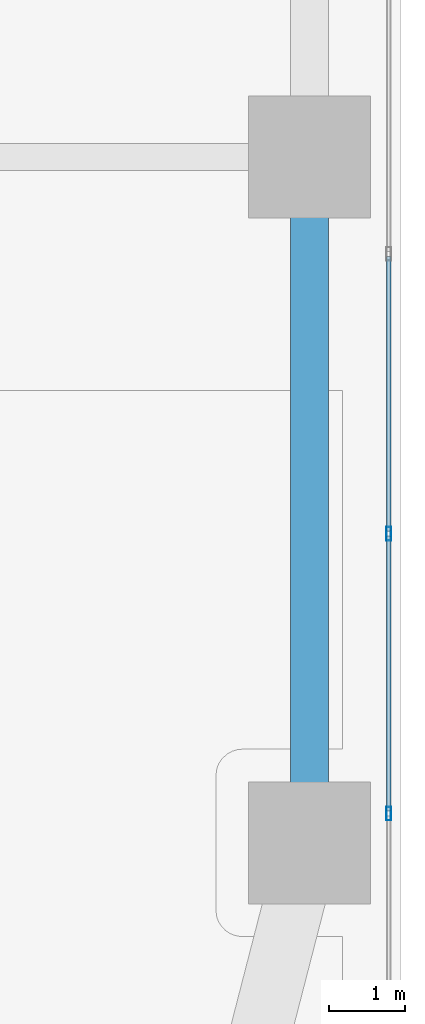
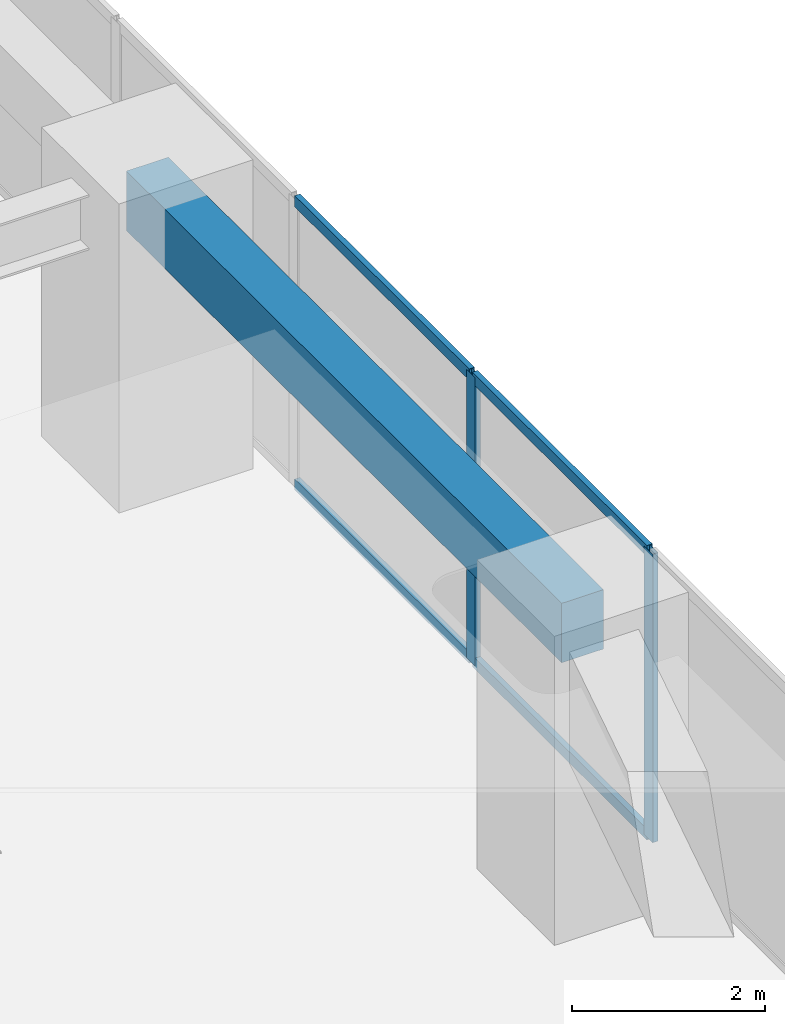
# One storey, part 6 of 29: 6 members, 1 beam, 1 element without a shape of its own.
"""IFC4 building model written with IfcOpenShell, lengths in metres."""

import ifcopenshell
import ifcopenshell.guid

model = None  # the IFC model being written
_history = None  # IfcOwnerHistory: only IFC2X3 demands one
_inside = {}  # id of a spatial element -> (the spatial element, [elements in it])
_under = {}  # id of a project, library or spatial element -> (it, [spatial elements below it])
_declared = {}  # id of a project -> (the project, [libraries it declares])
_typed = {}  # id of a type object -> (the type object, [elements of that type])
_made_of = {}  # id of a material, layer set ... -> (it, [elements and type objects made of it])


def new_model(schema):
    """Start an empty IFC model of exactly this schema.

    Asked for "IFC4X3", IfcOpenShell would pick the latest addendum, in which some entities
    have other attributes; the version numbers below select the first issue.
    IFC2X3 requires an IfcOwnerHistory on every rooted entity: one is made here for all.
    """
    global model, _history
    if schema == "IFC4X3":
        model = ifcopenshell.file(schema_version=(4, 3, 0, 0))
    else:
        model = ifcopenshell.file(schema=schema)
    _inside.clear()
    _under.clear()
    _declared.clear()
    _typed.clear()
    _made_of.clear()
    _history = None
    if model.schema == "IFC2X3":
        org = make("IfcOrganization", Name="unknown")
        user = make(
            "IfcPersonAndOrganization",
            ThePerson=make("IfcPerson", FamilyName="unknown"),
            TheOrganization=org,
        )
        app = make(
            "IfcApplication",
            ApplicationDeveloper=org,
            Version="unknown",
            ApplicationFullName="unknown",
            ApplicationIdentifier="unknown",
        )
        _history = make(
            "IfcOwnerHistory",
            OwningUser=user,
            OwningApplication=app,
            ChangeAction="ADDED",
            CreationDate=0,
        )
    return model


def make(cls, **values):
    """One entity of the class cls with the attributes given. An attribute that is None is left unset."""
    return model.create_entity(
        cls, **{name: value for name, value in values.items() if value is not None}
    )


def rooted(cls, **values):
    """An entity with a GlobalId (a new one), such as an element, a storey or a relation."""
    return make(cls, GlobalId=ifcopenshell.guid.new(), OwnerHistory=_history, **values)


def si_unit(unit_type, name, prefix=None):
    """IfcSIUnit, for example si_unit("LENGTHUNIT", "METRE", prefix="MILLI")."""
    return make("IfcSIUnit", UnitType=unit_type, Prefix=prefix, Name=name)


def assignment(units):
    """IfcUnitAssignment: the units of a project."""
    return None if units is None else make("IfcUnitAssignment", Units=units)


def point(xyz):
    """IfcCartesianPoint."""
    return None if xyz is None else make("IfcCartesianPoint", Coordinates=xyz)


def direction(xyz):
    """IfcDirection."""
    return None if xyz is None else make("IfcDirection", DirectionRatios=xyz)


def frame(location, z_axis=None, x_axis=None):
    """IfcAxis2Placement3D, a coordinate frame: its origin and axes. An axis left out is left unset."""
    return make(
        "IfcAxis2Placement3D",
        Location=point(location),
        Axis=direction(z_axis),
        RefDirection=direction(x_axis),
    )


def frame_2d(location, x_axis=None):
    """IfcAxis2Placement2D, a coordinate frame in the plane: its origin and x axis."""
    return make(
        "IfcAxis2Placement2D", Location=point(location), RefDirection=direction(x_axis)
    )


def origin():
    """The frame at (0, 0, 0) with its axes left unset."""
    return frame((0.0, 0.0, 0.0))


def origin_2d():
    """The frame at (0, 0) in the plane with its x axis left unset."""
    return frame_2d((0.0, 0.0))


def place(relative_to, where):
    """IfcLocalPlacement: puts the frame where relative to a parent placement (None: the world)."""
    return make(
        "IfcLocalPlacement", PlacementRelTo=relative_to, RelativePlacement=where
    )


def context(
    kind, dimensions, precision=None, world=None, true_north=None, identifier=None
):
    """IfcGeometricRepresentationContext, for example the 3D "Model" context."""
    return make(
        "IfcGeometricRepresentationContext",
        ContextIdentifier=identifier,
        ContextType=kind,
        CoordinateSpaceDimension=dimensions,
        Precision=precision,
        WorldCoordinateSystem=world,
        TrueNorth=true_north,
    )


def subcontext(parent, identifier, kind, view, scale=None):
    """IfcGeometricRepresentationSubContext, for example "Body" below "Model"."""
    return make(
        "IfcGeometricRepresentationSubContext",
        ContextIdentifier=identifier,
        ContextType=kind,
        ParentContext=parent,
        TargetScale=scale,
        TargetView=view,
    )


def project(units=None, contexts=None):
    """IfcProject with its units and contexts."""
    return rooted(
        "IfcProject",
        Name="project",
        RepresentationContexts=contexts,
        UnitsInContext=assignment(units),
    )


def spatial(cls, under=None, at=None, **own):
    """A site, building, storey or space (cls), placed at a placement, below another one or the project."""
    s = rooted(cls, ObjectPlacement=at, **own)
    if under is not None:
        _under.setdefault(under.id(), (under, []))[1].append(s)
    return s


def profile(cls, at=None, kind="AREA", **sizes):
    """A parametric profile (cls). Its sizes go by their IFC names, for example OverallWidth=200.0."""
    return make(cls, ProfileType=kind, Position=at, **sizes)


def rectangle(**sizes):
    """IfcRectangleProfileDef."""
    return profile("IfcRectangleProfileDef", **sizes)


def hollow_rectangle(**sizes):
    """IfcRectangleHollowProfileDef."""
    return profile("IfcRectangleHollowProfileDef", **sizes)


def extrude(swept, where, along, depth):
    """IfcExtrudedAreaSolid: the profile swept, set in the frame where, extruded along a direction by depth."""
    return make(
        "IfcExtrudedAreaSolid",
        SweptArea=swept,
        Position=where,
        ExtrudedDirection=direction(along),
        Depth=depth,
    )


def shape(context_of_items, identifier, shape_type, items):
    """IfcShapeRepresentation: the items that make up one representation, for example the "Body"."""
    return make(
        "IfcShapeRepresentation",
        ContextOfItems=context_of_items,
        RepresentationIdentifier=identifier,
        RepresentationType=shape_type,
        Items=items,
    )


def material(Name=None, Category=None):
    """IfcMaterial."""
    return make("IfcMaterial", Name=Name, Category=Category)


def layer(
    of_material, thickness, ventilated=None, Name=None, Category=None, Priority=None
):
    """IfcMaterialLayer: one layer of a wall or slab, of a material (None: an air gap)."""
    return make(
        "IfcMaterialLayer",
        Material=of_material,
        LayerThickness=thickness,
        IsVentilated=ventilated,
        Name=Name,
        Category=Category,
        Priority=Priority,
    )


def layer_set(layers, Name=None):
    """IfcMaterialLayerSet."""
    return make("IfcMaterialLayerSet", MaterialLayers=layers, LayerSetName=Name)


def material_profile(
    of_material, cross_section, Name=None, Category=None, Priority=None
):
    """IfcMaterialProfile: a cross section and its material."""
    return make(
        "IfcMaterialProfile",
        Name=Name,
        Material=of_material,
        Profile=cross_section,
        Priority=Priority,
        Category=Category,
    )


def profile_set(profiles, Name=None, composite=None):
    """IfcMaterialProfileSet."""
    return make(
        "IfcMaterialProfileSet",
        Name=Name,
        MaterialProfiles=profiles,
        CompositeProfile=composite,
    )


def made_of(thing, what):
    """Note that an element or type object is made of a material, layer set ...; save() writes the relation."""
    if what is not None:
        _made_of.setdefault(what.id(), (what, []))[1].append(thing)
    return thing


def type_object(cls, material=None, **own):
    """A type object (cls), such as IfcWallType, which elements share."""
    return made_of(rooted(cls, **own), material)


def element(
    cls,
    number,
    at=None,
    inside=None,
    cuts=None,
    type_object=None,
    material=None,
    context=None,
    identifier="Body",
    shape_type=None,
    held_by="IfcProductDefinitionShape",
    body=None,
    shapes=None,
    **own,
):
    """One element of the class cls, such as IfcWall. Its Tag is "e" and its number.

    at: its placement. inside: the storey or other place that contains it. cuts: it is an
    opening in that element (IfcRelVoidsElement). A single representation is given by context,
    identifier, shape_type and body (its items); several are given by shapes. held_by: the class
    of the entity that holds the representations. save() writes the other relations.
    """
    e = rooted(cls, Tag="e%d" % number, ObjectPlacement=at, **own)
    if body is not None:
        shapes = [shape(context, identifier, shape_type, body)]
    if shapes is not None:
        e.Representation = make(held_by, Representations=shapes)
    if inside is not None:
        _inside.setdefault(inside.id(), (inside, []))[1].append(e)
    if cuts is not None:
        rooted(
            "IfcRelVoidsElement", RelatingBuildingElement=cuts, RelatedOpeningElement=e
        )
    if type_object is not None:
        _typed.setdefault(type_object.id(), (type_object, []))[1].append(e)
    return made_of(e, material)


def aggregate(whole, parts):
    """IfcRelAggregates: a whole, such as a stair, and the parts it consists of."""
    return rooted("IfcRelAggregates", RelatingObject=whole, RelatedObjects=parts)


def save(model, path):
    """Write the relations noted so far, then the file.

    IfcRelAggregates (storeys below a building ...), IfcRelContainedInSpatialStructure (elements
    in a storey), IfcRelDefinesByType, IfcRelAssociatesMaterial and IfcRelDeclares: one each for
    every whole, place, type object, material and project.
    """
    for whole, parts in _under.values():
        aggregate(whole, parts)
    for where, things in _inside.values():
        rooted(
            "IfcRelContainedInSpatialStructure",
            RelatedElements=things,
            RelatingStructure=where,
        )
    for kind, things in _typed.values():
        rooted("IfcRelDefinesByType", RelatedObjects=things, RelatingType=kind)
    for what, things in _made_of.values():
        rooted("IfcRelAssociatesMaterial", RelatedObjects=things, RelatingMaterial=what)
    for by, libraries in _declared.values():
        rooted("IfcRelDeclares", RelatingContext=by, RelatedDefinitions=libraries)
    model.write(path)


model = new_model("IFC4")

# Units and contexts
model_context = context("Model", 3, precision=1e-05, world=origin(), true_north=direction((0.0, 1.0)))
body_context = subcontext(model_context, "Body", "Model", "MODEL_VIEW")
ifc_project = project(units=[si_unit("LENGTHUNIT", "METRE"), si_unit("AREAUNIT", "SQUARE_METRE"), si_unit("VOLUMEUNIT", "CUBIC_METRE"), si_unit("PLANEANGLEUNIT", "RADIAN"), si_unit("MASSUNIT", "GRAM", prefix="KILO")], contexts=[model_context])

# Site, building, storey
site_placement = place(None, origin())
site = spatial("IfcSite", under=ifc_project, at=site_placement, CompositionType="ELEMENT")
building_placement = place(site_placement, origin())
building = spatial("IfcBuilding", under=site, at=building_placement, Name="Kiyonajd Concourse Tower", CompositionType="ELEMENT")
storey_placement = place(building_placement, frame((0.0, 0.0, 48.89990234375)))
storey = spatial("IfcBuildingStorey", under=building, at=storey_placement, Name="L13", CompositionType="ELEMENT", Elevation=48.89990234375)

# Beam
ifc_material_1 = material(Name="Precast concrete C50/60", Category="concrete")
ifc_material_profile_1 = material_profile(ifc_material_1, rectangle(XDim=0.5, YDim=0.75, at=origin_2d()), Name="RCBM-500x750")
ifc_profile_set_1 = profile_set([ifc_material_profile_1], Name="Precast concrete C50/60")
beam_type = type_object("IfcBeamType", Name="BM-SPAN-RC", PredefinedType="SPANDREL", material=ifc_profile_set_1)
beam_placement = place(storey_placement, frame((78.0, 18.60009765625, 3.26513671875), z_axis=(0.0, 1.0, 0.0), x_axis=(-1.0, 0.0, 0.0)))
element("IfcBeam", 1, at=beam_placement, inside=storey, type_object=beam_type, Name="L13 Perimeter Bundled Tube Spandrel", PredefinedType="SPANDREL", context=body_context, shape_type="SweptSolid", body=[
    extrude(rectangle(XDim=0.5, YDim=0.75, at=origin_2d()), origin(), (0.0, 0.0, 1.0), 9.0),
])

# Curtain wall, members
ifc_material_2 = material(Name="Thermally Broken Anodised Aluminium", Category="aluminium")
ifc_layer = layer(ifc_material_2, 0.179931640625)
ifc_layer_set = layer_set([ifc_layer], Name="Thermally Broken Anodised Aluminium")
curtain_wall_type = type_object("IfcCurtainWallType", Name="CW-SYS-02", PredefinedType="NOTDEFINED", material=ifc_layer_set)
curtain_wall_placement = place(storey_placement, origin())
curtain_wall = element("IfcCurtainWall", 2, at=curtain_wall_placement, inside=storey, type_object=curtain_wall_type, Name="L13 Unitised Curtain Wall CW2", PredefinedType="NOTDEFINED")
ifc_material_profile_2 = material_profile(ifc_material_2, hollow_rectangle(XDim=0.06494140625, YDim=0.179931640625, WallThickness=0.00390625, at=origin_2d()), Name="MULL-65x180")
ifc_profile_set_2 = profile_set([ifc_material_profile_2], Name="Thermally Broken Anodised Aluminium")
member_type_1 = type_object("IfcMemberType", Name="MB-CW-MULL1", PredefinedType="MULLION", material=ifc_profile_set_2)
member_1_placement = place(storey_placement, frame((79.0400390625, 22.657470703125, 0.0), z_axis=(0.0, 0.0, 1.0), x_axis=(1.0, 0.0, 0.0)))
member_1 = element("IfcMember", 3, at=member_1_placement, type_object=member_type_1, Name="CW2 mullion 5", PredefinedType="MULLION", context=body_context, shape_type="SweptSolid", body=[
    extrude(hollow_rectangle(XDim=0.06494140625, YDim=0.179931640625, WallThickness=0.00390625, at=origin_2d()), origin(), (0.0, 0.0, 1.0), 3.64013671875),
])
member_2_placement = place(storey_placement, frame((79.0400390625, 18.984130859375, 0.0), z_axis=(0.0, 0.0, 1.0), x_axis=(1.0, 0.0, 0.0)))
member_2 = element("IfcMember", 4, at=member_2_placement, type_object=member_type_1, Name="CW2 mullion 6", PredefinedType="MULLION", context=body_context, shape_type="SweptSolid", body=[
    extrude(hollow_rectangle(XDim=0.06494140625, YDim=0.179931640625, WallThickness=0.00390625, at=origin_2d()), origin(), (0.0, 0.0, 1.0), 3.64013671875),
])
ifc_material_profile_3 = material_profile(ifc_material_2, hollow_rectangle(XDim=0.06494140625, YDim=0.139892578125, WallThickness=0.00390625, at=origin_2d()), Name="TRAN-65x140")
ifc_profile_set_3 = profile_set([ifc_material_profile_3], Name="Thermally Broken Anodised Aluminium")
member_type_2 = type_object("IfcMemberType", Name="MB-CW-TRAN1", PredefinedType="USERDEFINED", material=ifc_profile_set_3)
member_3_placement = place(storey_placement, frame((79.0400390625, 26.298095703125, 0.03271484375), z_axis=(0.0, -1.0, 0.0), x_axis=(1.0, 0.0, 0.0)))
member_3 = element("IfcMember", 5, at=member_3_placement, type_object=member_type_2, Name="CW2 transom 4.1", ObjectType="TRANSOM", PredefinedType="USERDEFINED", context=body_context, shape_type="SweptSolid", body=[
    extrude(hollow_rectangle(XDim=0.06494140625, YDim=0.139892578125, WallThickness=0.00390625, at=origin_2d()), origin(), (0.0, 0.0, 1.0), 3.608154296875),
])
member_4_placement = place(storey_placement, frame((79.0400390625, 26.298095703125, 3.607666015625), z_axis=(0.0, -1.0, 0.0), x_axis=(1.0, 0.0, 0.0)))
member_4 = element("IfcMember", 6, at=member_4_placement, type_object=member_type_2, Name="CW2 transom 4.2", ObjectType="TRANSOM", PredefinedType="USERDEFINED", context=body_context, shape_type="SweptSolid", body=[
    extrude(hollow_rectangle(XDim=0.06494140625, YDim=0.139892578125, WallThickness=0.00390625, at=origin_2d()), origin(), (0.0, 0.0, 1.0), 3.608154296875),
])
member_5_placement = place(storey_placement, frame((79.0400390625, 22.625, 0.03271484375), z_axis=(0.0, -1.0, 0.0), x_axis=(1.0, 0.0, 0.0)))
member_5 = element("IfcMember", 7, at=member_5_placement, type_object=member_type_2, Name="CW2 transom 5.1", ObjectType="TRANSOM", PredefinedType="USERDEFINED", context=body_context, shape_type="SweptSolid", body=[
    extrude(hollow_rectangle(XDim=0.06494140625, YDim=0.139892578125, WallThickness=0.00390625, at=origin_2d()), origin(), (0.0, 0.0, 1.0), 3.608154296875),
])
member_6_placement = place(storey_placement, frame((79.0400390625, 22.625, 3.607666015625), z_axis=(0.0, -1.0, 0.0), x_axis=(1.0, 0.0, 0.0)))
member_6 = element("IfcMember", 8, at=member_6_placement, type_object=member_type_2, Name="CW2 transom 5.2", ObjectType="TRANSOM", PredefinedType="USERDEFINED", context=body_context, shape_type="SweptSolid", body=[
    extrude(hollow_rectangle(XDim=0.06494140625, YDim=0.139892578125, WallThickness=0.00390625, at=origin_2d()), origin(), (0.0, 0.0, 1.0), 3.608154296875),
])
aggregate(curtain_wall, [member_1, member_2, member_3, member_4, member_5, member_6])

save(model, "model.ifc")
